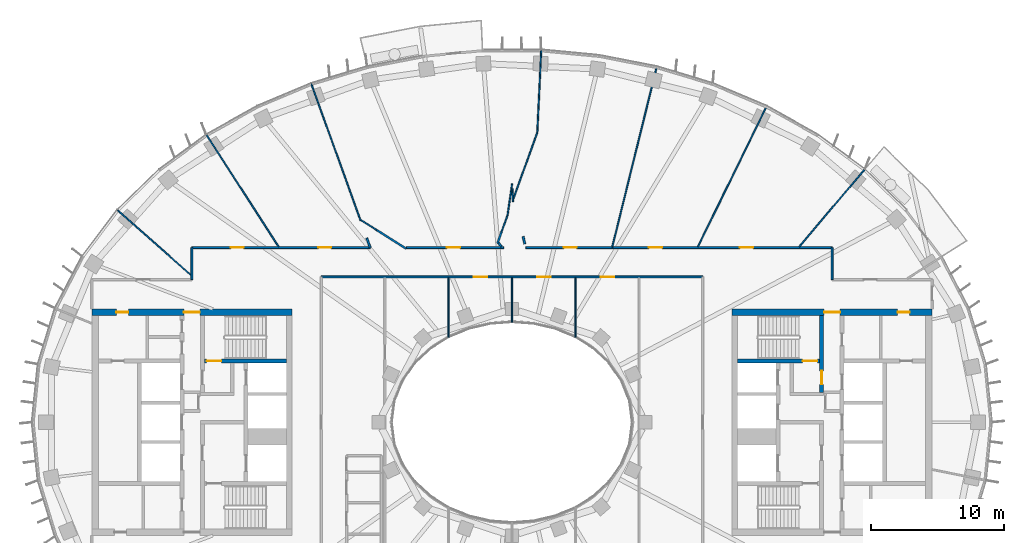
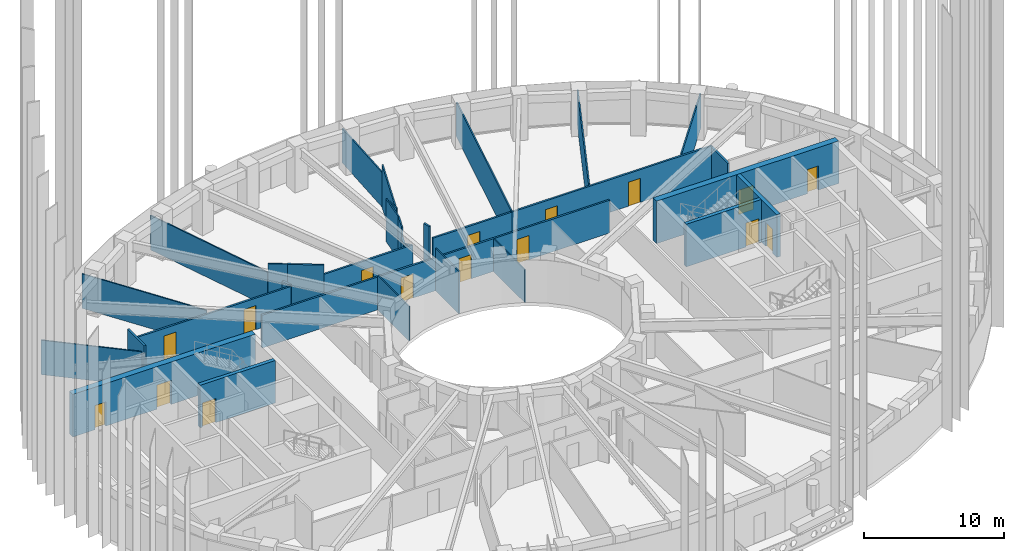
# One storey, part 6 of 19: 32 walls, 16 doors, 16 openings.
"""IFC4 building model written with IfcOpenShell, lengths in metres."""

from ifc_helpers import new_model, si_unit, direction, frame, frame_2d, origin, place, context, subcontext, project, spatial, rectangle, extrude, material, layer, layer_set, type_object, element, fill, save


model = new_model("IFC4")

# Units and contexts
model_context = context("Model", 3, precision=1e-05, world=origin(), true_north=direction((0.0, 1.0)))
body_context = subcontext(model_context, "Body", "Model", "MODEL_VIEW")
ifc_project = project(units=[si_unit("LENGTHUNIT", "METRE"), si_unit("AREAUNIT", "SQUARE_METRE"), si_unit("VOLUMEUNIT", "CUBIC_METRE"), si_unit("PLANEANGLEUNIT", "RADIAN"), si_unit("MASSUNIT", "GRAM", prefix="KILO")], contexts=[model_context])

# Site, building, storey
site_placement = place(None, origin())
site = spatial("IfcSite", under=ifc_project, at=site_placement, CompositionType="ELEMENT")
building_placement = place(site_placement, origin())
building = spatial("IfcBuilding", under=site, at=building_placement, Name="Noorbagh Ring Tower", CompositionType="ELEMENT")
storey_placement = place(building_placement, frame((0.0, 0.0, 233.5)))
storey = spatial("IfcBuildingStorey", under=building, at=storey_placement, Name="L48", CompositionType="ELEMENT", Elevation=233.5)

# Wall, opening, door
ifc_material_1 = material(Name="Concrete C60/75", Category="concrete")
ifc_layer_1 = layer(ifc_material_1, 0.300048828125)
ifc_layer_set_1 = layer_set([ifc_layer_1], Name="Concrete C60/75")
wall_type_1 = type_object("IfcWallType", Name="CORE-WALL-300-C60-75-EI240", PredefinedType="SHEAR", material=ifc_layer_set_1)
wall_1_placement = place(storey_placement, frame((-16.89990234375, 4.60009765625, 0.0), z_axis=(0.0, 0.0, 1.0), x_axis=(-1.0, 0.0, 0.0)))
wall_1 = element("IfcWall", 1, at=wall_1_placement, inside=storey, type_object=wall_type_1, Name="Core wall W", PredefinedType="SHEAR", context=body_context, shape_type="SweptSolid", body=[
    extrude(rectangle(XDim=6.18017578125, YDim=0.300048828125, at=frame_2d((3.090087890625, 0.0))), origin(), (0.0, 0.0, 1.0), 3.699951171875),
])
opening_1_placement = place(wall_1_placement, frame((4.89990234375, 0.0, 0.0)))
opening_1 = element("IfcOpeningElement", 2, at=opening_1_placement, cuts=wall_1, Name="Opening L48-CW06", PredefinedType="OPENING", context=body_context, shape_type="SweptSolid", body=[
    extrude(rectangle(XDim=1.10009765625, YDim=2.10009765625, at=frame_2d((0.550048828125, 1.050048828125))), frame((0.0, 0.16015625, 0.0), z_axis=(0.0, -1.0, 0.0), x_axis=(1.0, 0.0, 0.0)), (0.0, 0.0, 1.0), 0.320068359375),
])
ifc_material_2 = material(Name="Steel door leaf", Category="steel")
door_type_1 = type_object("IfcDoorType", Name="CORE-DOOR-DSTAIR", OperationType="SINGLE_SWING_LEFT", PredefinedType="DOOR", material=ifc_material_2)
door_1_placement = place(opening_1_placement, origin())
door_1 = element("IfcDoor", 3, at=door_1_placement, inside=storey, type_object=door_type_1, Name="Stair door ST1 L48-CW06", OperationType="SINGLE_SWING_RIGHT", OverallHeight=2.10009765625, OverallWidth=1.10009765625, PredefinedType="DOOR", context=body_context, shape_type="SweptSolid", body=[
    extrude(rectangle(XDim=1.10009765625, YDim=2.10009765625, at=frame_2d((0.550048828125, 1.050048828125))), frame((0.0, 0.02490234375, 0.0), z_axis=(0.0, -1.0, 0.0), x_axis=(1.0, 0.0, 0.0)), (0.0, 0.0, 1.0), 0.050048828125),
])
fill(opening_1, door_1)

wall_2_placement = place(storey_placement, frame((23.22998046875, 2.25, 0.0), z_axis=(0.0, 0.0, 1.0), x_axis=(0.0, 1.0, 0.0)))
wall_2 = element("IfcWall", 4, at=wall_2_placement, inside=storey, type_object=wall_type_1, Name="Core wall E", PredefinedType="SHEAR", context=body_context, shape_type="SweptSolid", body=[
    extrude(rectangle(XDim=5.75, YDim=0.300048828125, at=frame_2d((2.875, 0.0))), origin(), (0.0, 0.0, 1.0), 3.699951171875),
])
opening_2_placement = place(wall_2_placement, frame((0.60009765625, 0.0, 0.0)))
opening_2 = element("IfcOpeningElement", 5, at=opening_2_placement, cuts=wall_2, Name="Opening L48-CE10", PredefinedType="OPENING", context=body_context, shape_type="SweptSolid", body=[
    extrude(rectangle(XDim=1.0, YDim=2.10009765625, at=frame_2d((0.5, 1.050048828125))), frame((0.0, 0.16015625, 0.0), z_axis=(0.0, -1.0, 0.0), x_axis=(1.0, 0.0, 0.0)), (0.0, 0.0, 1.0), 0.320068359375),
])
ifc_material_3 = material(Name="Steel door leaf", Category="steel")
door_type_2 = type_object("IfcDoorType", Name="CORE-DOOR-DVEST", OperationType="SINGLE_SWING_LEFT", PredefinedType="DOOR", material=ifc_material_3)
door_2_placement = place(opening_2_placement, origin())
door_2 = element("IfcDoor", 6, at=door_2_placement, inside=storey, type_object=door_type_2, Name="Stair vestibule door L48-CE10", OperationType="SINGLE_SWING_RIGHT", OverallHeight=2.10009765625, OverallWidth=1.0, PredefinedType="DOOR", context=body_context, shape_type="SweptSolid", body=[
    extrude(rectangle(XDim=1.0, YDim=2.10009765625, at=frame_2d((0.5, 1.050048828125))), frame((0.0, 0.02490234375, 0.0), z_axis=(0.0, -1.0, 0.0), x_axis=(1.0, 0.0, 0.0)), (0.0, 0.0, 1.0), 0.050048828125),
])
fill(opening_2, door_2)

wall_3_placement = place(storey_placement, frame((16.89990234375, 4.60009765625, 0.0), z_axis=(0.0, 0.0, 1.0), x_axis=(1.0, 0.0, 0.0)))
wall_3 = element("IfcWall", 7, at=wall_3_placement, inside=storey, type_object=wall_type_1, Name="Core wall E", PredefinedType="SHEAR", context=body_context, shape_type="SweptSolid", body=[
    extrude(rectangle(XDim=6.18017578125, YDim=0.300048828125, at=frame_2d((3.090087890625, 0.0))), origin(), (0.0, 0.0, 1.0), 3.699951171875),
])
opening_3_placement = place(wall_3_placement, frame((4.89990234375, 0.0, 0.0)))
opening_3 = element("IfcOpeningElement", 8, at=opening_3_placement, cuts=wall_3, Name="Opening L48-CE07", PredefinedType="OPENING", context=body_context, shape_type="SweptSolid", body=[
    extrude(rectangle(XDim=1.10009765625, YDim=2.10009765625, at=frame_2d((0.550048828125, 1.050048828125))), frame((0.0, 0.16015625, 0.0), z_axis=(0.0, -1.0, 0.0), x_axis=(1.0, 0.0, 0.0)), (0.0, 0.0, 1.0), 0.320068359375),
])
door_3_placement = place(opening_3_placement, origin())
door_3 = element("IfcDoor", 9, at=door_3_placement, inside=storey, type_object=door_type_1, Name="Stair door ST3 L48-CE07", OperationType="SINGLE_SWING_LEFT", OverallHeight=2.10009765625, OverallWidth=1.10009765625, PredefinedType="DOOR", context=body_context, shape_type="SweptSolid", body=[
    extrude(rectangle(XDim=1.10009765625, YDim=2.10009765625, at=frame_2d((0.550048828125, 1.050048828125))), frame((0.0, 0.02490234375, 0.0), z_axis=(0.0, -1.0, 0.0), x_axis=(1.0, 0.0, 0.0)), (0.0, 0.0, 1.0), 0.050048828125),
])
fill(opening_3, door_3)

# Wall, openings, doors
ifc_material_4 = material(Name="Concrete C60/75", Category="concrete")
ifc_layer_2 = layer(ifc_material_4, 0.5)
ifc_layer_set_2 = layer_set([ifc_layer_2], Name="Concrete C60/75")
wall_type_2 = type_object("IfcWallType", Name="CORE-WALL-500-C60-75-EI240", PredefinedType="SHEAR", material=ifc_layer_set_2)
wall_4_placement = place(storey_placement, frame((-16.5, 8.25, 0.0), z_axis=(0.0, 0.0, 1.0), x_axis=(-1.0, 0.0, 0.0)))
wall_4 = element("IfcWall", 10, at=wall_4_placement, inside=storey, type_object=wall_type_2, Name="Core wall W", PredefinedType="SHEAR", context=body_context, shape_type="SweptSolid", body=[
    extrude(rectangle(XDim=15.0, YDim=0.5, at=frame_2d((7.5, 0.0))), origin(), (0.0, 0.0, 1.0), 3.699951171875),
])
opening_4_placement = place(wall_4_placement, frame((6.89990234375, 0.0, 0.0)))
opening_4 = element("IfcOpeningElement", 11, at=opening_4_placement, cuts=wall_4, Name="Opening L48-CW10", PredefinedType="OPENING", context=body_context, shape_type="SweptSolid", body=[
    extrude(rectangle(XDim=1.199951171875, YDim=2.10009765625, at=frame_2d((0.60009765625, 1.050048828125))), frame((0.0, 0.260009765625, 0.0), z_axis=(0.0, -1.0, 0.0), x_axis=(1.0, 0.0, 0.0)), (0.0, 0.0, 1.0), 0.52001953125),
])
opening_5_placement = place(wall_4_placement, frame((12.27490234375, 0.0, 0.0)))
opening_5 = element("IfcOpeningElement", 12, at=opening_5_placement, cuts=wall_4, Name="Opening L48-CW14", PredefinedType="OPENING", context=body_context, shape_type="SweptSolid", body=[
    extrude(rectangle(XDim=0.89990234375, YDim=2.10009765625, at=frame_2d((0.449951171875, 1.050048828125))), frame((0.0, 0.260009765625, 0.0), z_axis=(0.0, -1.0, 0.0), x_axis=(1.0, 0.0, 0.0)), (0.0, 0.0, 1.0), 0.52001953125),
])
ifc_material_5 = material(Name="Steel door leaf", Category="steel")
door_type_3 = type_object("IfcDoorType", Name="CORE-DOOR-DROOM", OperationType="SINGLE_SWING_LEFT", PredefinedType="DOOR", material=ifc_material_5)
door_4_placement = place(opening_5_placement, origin())
door_4 = element("IfcDoor", 13, at=door_4_placement, inside=storey, type_object=door_type_3, Name="Core room door L48-CW14", OperationType="SINGLE_SWING_RIGHT", OverallHeight=2.10009765625, OverallWidth=0.89990234375, PredefinedType="DOOR", context=body_context, shape_type="SweptSolid", body=[
    extrude(rectangle(XDim=0.89990234375, YDim=2.10009765625, at=frame_2d((0.449951171875, 1.050048828125))), frame((0.0, 0.02490234375, 0.0), z_axis=(0.0, -1.0, 0.0), x_axis=(1.0, 0.0, 0.0)), (0.0, 0.0, 1.0), 0.050048828125),
])
fill(opening_5, door_4)
ifc_material_6 = material(Name="Steel door leaf", Category="steel")
door_type_4 = type_object("IfcDoorType", Name="CORE-DOOR-PORT", OperationType="DOUBLE_DOOR_DOUBLE_SWING", PredefinedType="DOOR", material=ifc_material_6)
door_5_placement = place(opening_4_placement, origin())
door_5 = element("IfcDoor", 14, at=door_5_placement, inside=storey, type_object=door_type_4, Name="Core entrance door L48-CW10", OperationType="DOUBLE_DOOR_DOUBLE_SWING", OverallHeight=2.10009765625, OverallWidth=1.199951171875, PredefinedType="DOOR", context=body_context, shape_type="SweptSolid", body=[
    extrude(rectangle(XDim=1.199951171875, YDim=2.10009765625, at=frame_2d((0.60009765625, 1.050048828125))), frame((0.0, 0.02490234375, 0.0), z_axis=(0.0, -1.0, 0.0), x_axis=(1.0, 0.0, 0.0)), (0.0, 0.0, 1.0), 0.050048828125),
])
fill(opening_4, door_5)

wall_5_placement = place(storey_placement, frame((16.5, 8.25, 0.0), z_axis=(0.0, 0.0, 1.0), x_axis=(1.0, 0.0, 0.0)))
wall_5 = element("IfcWall", 15, at=wall_5_placement, inside=storey, type_object=wall_type_2, Name="Core wall E", PredefinedType="SHEAR", context=body_context, shape_type="SweptSolid", body=[
    extrude(rectangle(XDim=15.0, YDim=0.5, at=frame_2d((7.5, 0.0))), origin(), (0.0, 0.0, 1.0), 3.699951171875),
])
opening_6_placement = place(wall_5_placement, frame((6.89990234375, 0.0, 0.0)))
opening_6 = element("IfcOpeningElement", 16, at=opening_6_placement, cuts=wall_5, Name="Opening L48-CE11", PredefinedType="OPENING", context=body_context, shape_type="SweptSolid", body=[
    extrude(rectangle(XDim=1.199951171875, YDim=2.10009765625, at=frame_2d((0.60009765625, 1.050048828125))), frame((0.0, 0.260009765625, 0.0), z_axis=(0.0, -1.0, 0.0), x_axis=(1.0, 0.0, 0.0)), (0.0, 0.0, 1.0), 0.52001953125),
])
opening_7_placement = place(wall_5_placement, frame((12.425048828125, 0.0, 0.0)))
opening_7 = element("IfcOpeningElement", 17, at=opening_7_placement, cuts=wall_5, Name="Opening L48-CE14", PredefinedType="OPENING", context=body_context, shape_type="SweptSolid", body=[
    extrude(rectangle(XDim=0.89990234375, YDim=2.10009765625, at=frame_2d((0.449951171875, 1.050048828125))), frame((0.0, 0.260009765625, 0.0), z_axis=(0.0, -1.0, 0.0), x_axis=(1.0, 0.0, 0.0)), (0.0, 0.0, 1.0), 0.52001953125),
])
door_6_placement = place(opening_7_placement, origin())
door_6 = element("IfcDoor", 18, at=door_6_placement, inside=storey, type_object=door_type_3, Name="Core room door L48-CE14", OperationType="SINGLE_SWING_LEFT", OverallHeight=2.10009765625, OverallWidth=0.89990234375, PredefinedType="DOOR", context=body_context, shape_type="SweptSolid", body=[
    extrude(rectangle(XDim=0.89990234375, YDim=2.10009765625, at=frame_2d((0.449951171875, 1.050048828125))), frame((0.0, 0.02490234375, 0.0), z_axis=(0.0, -1.0, 0.0), x_axis=(1.0, 0.0, 0.0)), (0.0, 0.0, 1.0), 0.050048828125),
])
fill(opening_7, door_6)
door_7_placement = place(opening_6_placement, origin())
door_7 = element("IfcDoor", 19, at=door_7_placement, inside=storey, type_object=door_type_4, Name="Core entrance door L48-CE11", OperationType="DOUBLE_DOOR_DOUBLE_SWING", OverallHeight=2.10009765625, OverallWidth=1.199951171875, PredefinedType="DOOR", context=body_context, shape_type="SweptSolid", body=[
    extrude(rectangle(XDim=1.199951171875, YDim=2.10009765625, at=frame_2d((0.60009765625, 1.050048828125))), frame((0.0, 0.02490234375, 0.0), z_axis=(0.0, -1.0, 0.0), x_axis=(1.0, 0.0, 0.0)), (0.0, 0.0, 1.0), 0.050048828125),
])
fill(opening_6, door_7)

# Wall
ifc_material_7 = material(Name="Gypsum board on steel studs", Category="steel")
ifc_layer_3 = layer(ifc_material_7, 0.14990234375)
ifc_layer_set_3 = layer_set([ifc_layer_3], Name="Gypsum board on steel studs")
wall_type_3 = type_object("IfcWallType", Name="CORRIDOR PARTITION 150 EI 30", PredefinedType="PARTITIONING", material=ifc_layer_set_3)
wall_6_placement = place(storey_placement, frame((-24.0, 10.699951171875, 0.0), z_axis=(0.0, 0.0, 1.0), x_axis=(0.0, 1.0, 0.0)))
element("IfcWall", 20, at=wall_6_placement, inside=storey, type_object=wall_type_3, Name="L48/wall/P09", PredefinedType="PARTITIONING", context=body_context, shape_type="SweptSolid", body=[
    extrude(rectangle(XDim=2.400146484375, YDim=0.14990234375, at=frame_2d((1.2001953125, 0.0))), origin(), (0.0, 0.0, 1.0), 3.699951171875),
])

# Wall, openings, doors
wall_7_placement = place(storey_placement, frame((-24.0, 13.10009765625, 0.0), z_axis=(0.0, 0.0, 1.0), x_axis=(1.0, 0.0, 0.0)))
wall_7 = element("IfcWall", 21, at=wall_7_placement, inside=storey, type_object=wall_type_3, Name="L48/wall/P10", PredefinedType="PARTITIONING", context=body_context, shape_type="SweptSolid", body=[
    extrude(rectangle(XDim=13.35693359375, YDim=0.14990234375, at=frame_2d((6.678466796875, 0.0))), origin(), (0.0, 0.0, 1.0), 2.75),
])
opening_8_placement = place(wall_7_placement, frame((2.89306640625, 0.0, 0.0)))
opening_8 = element("IfcOpeningElement", 22, at=opening_8_placement, cuts=wall_7, Name="Opening D1", PredefinedType="OPENING", context=body_context, shape_type="SweptSolid", body=[
    extrude(rectangle(XDim=1.0, YDim=2.10009765625, at=frame_2d((0.5, 1.050048828125))), frame((0.0, 0.0849609375, 0.0), z_axis=(0.0, -1.0, 0.0), x_axis=(1.0, 0.0, 0.0)), (0.0, 0.0, 1.0), 0.169921875),
])
opening_9_placement = place(wall_7_placement, frame((9.45703125, 0.0, 0.0)))
opening_9 = element("IfcOpeningElement", 23, at=opening_9_placement, cuts=wall_7, Name="Opening D1", PredefinedType="OPENING", context=body_context, shape_type="SweptSolid", body=[
    extrude(rectangle(XDim=1.0, YDim=2.10009765625, at=frame_2d((0.5, 1.050048828125))), frame((0.0, 0.0849609375, 0.0), z_axis=(0.0, -1.0, 0.0), x_axis=(1.0, 0.0, 0.0)), (0.0, 0.0, 1.0), 0.169921875),
])
ifc_material_8 = material(Name="Timber, painted", Category="wood")
door_type_5 = type_object("IfcDoorType", Name="DOOR 1000 X 2100 FD30", OperationType="SINGLE_SWING_LEFT", PredefinedType="DOOR", material=ifc_material_8)
door_8_placement = place(opening_8_placement, origin())
door_8 = element("IfcDoor", 24, at=door_8_placement, inside=storey, type_object=door_type_5, Name="L48-D08", OperationType="SINGLE_SWING_RIGHT", OverallHeight=2.10009765625, OverallWidth=1.0, PredefinedType="DOOR", context=body_context, shape_type="SweptSolid", body=[
    extrude(rectangle(XDim=1.0, YDim=2.10009765625, at=frame_2d((0.5, 1.050048828125))), frame((0.0, 0.02490234375, 0.0), z_axis=(0.0, -1.0, 0.0), x_axis=(1.0, 0.0, 0.0)), (0.0, 0.0, 1.0), 0.050048828125),
])
fill(opening_8, door_8)
door_9_placement = place(opening_9_placement, origin())
door_9 = element("IfcDoor", 25, at=door_9_placement, inside=storey, type_object=door_type_5, Name="L48-D10", OperationType="SINGLE_SWING_RIGHT", OverallHeight=2.10009765625, OverallWidth=1.0, PredefinedType="DOOR", context=body_context, shape_type="SweptSolid", body=[
    extrude(rectangle(XDim=1.0, YDim=2.10009765625, at=frame_2d((0.5, 1.050048828125))), frame((0.0, 0.02490234375, 0.0), z_axis=(0.0, -1.0, 0.0), x_axis=(1.0, 0.0, 0.0)), (0.0, 0.0, 1.0), 0.050048828125),
])
fill(opening_9, door_9)

wall_8_placement = place(storey_placement, frame((-14.300048828125, 10.89990234375, 0.0), z_axis=(0.0, 0.0, 1.0), x_axis=(1.0, 0.0, 0.0)))
wall_8 = element("IfcWall", 26, at=wall_8_placement, inside=storey, type_object=wall_type_3, Name="L48/wall/P17", PredefinedType="PARTITIONING", context=body_context, shape_type="SweptSolid", body=[
    extrude(rectangle(XDim=28.60009765625, YDim=0.14990234375, at=frame_2d((14.300048828125, 0.0))), origin(), (0.0, 0.0, 1.0), 2.85009765625),
])
opening_10_placement = place(wall_8_placement, frame((11.43310546875, 0.0, 0.0)))
opening_10 = element("IfcOpeningElement", 27, at=opening_10_placement, cuts=wall_8, Name="Opening D1", PredefinedType="OPENING", context=body_context, shape_type="SweptSolid", body=[
    extrude(rectangle(XDim=1.0, YDim=2.10009765625, at=frame_2d((0.5, 1.050048828125))), frame((0.0, 0.0849609375, 0.0), z_axis=(0.0, -1.0, 0.0), x_axis=(1.0, 0.0, 0.0)), (0.0, 0.0, 1.0), 0.169921875),
])
opening_11_placement = place(wall_8_placement, frame((16.199951171875, 0.0, 0.0)))
opening_11 = element("IfcOpeningElement", 28, at=opening_11_placement, cuts=wall_8, Name="Opening D1", PredefinedType="OPENING", context=body_context, shape_type="SweptSolid", body=[
    extrude(rectangle(XDim=1.0, YDim=2.10009765625, at=frame_2d((0.5, 1.050048828125))), frame((0.0, 0.0849609375, 0.0), z_axis=(0.0, -1.0, 0.0), x_axis=(1.0, 0.0, 0.0)), (0.0, 0.0, 1.0), 0.169921875),
])
opening_12_placement = place(wall_8_placement, frame((20.967041015625, 0.0, 0.0)))
opening_12 = element("IfcOpeningElement", 29, at=opening_12_placement, cuts=wall_8, Name="Opening D1", PredefinedType="OPENING", context=body_context, shape_type="SweptSolid", body=[
    extrude(rectangle(XDim=1.0, YDim=2.10009765625, at=frame_2d((0.5, 1.050048828125))), frame((0.0, 0.0849609375, 0.0), z_axis=(0.0, -1.0, 0.0), x_axis=(1.0, 0.0, 0.0)), (0.0, 0.0, 1.0), 0.169921875),
])
door_10_placement = place(opening_10_placement, origin())
door_10 = element("IfcDoor", 30, at=door_10_placement, inside=storey, type_object=door_type_5, Name="L48-D26", OperationType="SINGLE_SWING_RIGHT", OverallHeight=2.10009765625, OverallWidth=1.0, PredefinedType="DOOR", context=body_context, shape_type="SweptSolid", body=[
    extrude(rectangle(XDim=1.0, YDim=2.10009765625, at=frame_2d((0.5, 1.050048828125))), frame((0.0, 0.02490234375, 0.0), z_axis=(0.0, -1.0, 0.0), x_axis=(1.0, 0.0, 0.0)), (0.0, 0.0, 1.0), 0.050048828125),
])
fill(opening_10, door_10)
door_11_placement = place(opening_11_placement, origin())
door_11 = element("IfcDoor", 31, at=door_11_placement, inside=storey, type_object=door_type_5, Name="L48-D28", OperationType="SINGLE_SWING_RIGHT", OverallHeight=2.10009765625, OverallWidth=1.0, PredefinedType="DOOR", context=body_context, shape_type="SweptSolid", body=[
    extrude(rectangle(XDim=1.0, YDim=2.10009765625, at=frame_2d((0.5, 1.050048828125))), frame((0.0, 0.02490234375, 0.0), z_axis=(0.0, -1.0, 0.0), x_axis=(1.0, 0.0, 0.0)), (0.0, 0.0, 1.0), 0.050048828125),
])
fill(opening_11, door_11)
door_12_placement = place(opening_12_placement, origin())
door_12 = element("IfcDoor", 32, at=door_12_placement, inside=storey, type_object=door_type_5, Name="L48-D29", OperationType="SINGLE_SWING_LEFT", OverallHeight=2.10009765625, OverallWidth=1.0, PredefinedType="DOOR", context=body_context, shape_type="SweptSolid", body=[
    extrude(rectangle(XDim=1.0, YDim=2.10009765625, at=frame_2d((0.5, 1.050048828125))), frame((0.0, 0.02490234375, 0.0), z_axis=(0.0, -1.0, 0.0), x_axis=(1.0, 0.0, 0.0)), (0.0, 0.0, 1.0), 0.050048828125),
])
fill(opening_12, door_12)

# Walls
wall_9_placement = place(storey_placement, frame((-10.887939453125, 13.81396484375, 0.0), z_axis=(0.0, 0.0, 1.0), x_axis=(0.337396703232, -0.941362557492, 0.0)))
element("IfcWall", 33, at=wall_9_placement, inside=storey, type_object=wall_type_3, Name="L48/wall/P27", PredefinedType="PARTITIONING", context=body_context, shape_type="SweptSolid", body=[
    extrude(rectangle(XDim=0.75830078125, YDim=0.14990234375, at=frame_2d((0.379150390625, 0.0))), origin(), (0.0, 0.0, 1.0), 2.85009765625),
])
wall_10_placement = place(storey_placement, frame((-10.136962890625, 14.4130859375, 0.0), z_axis=(0.0, 0.0, 1.0), x_axis=(0.844665601723, -0.535294331434, 0.0)))
element("IfcWall", 34, at=wall_10_placement, inside=storey, type_object=wall_type_3, Name="L48/wall/P29", PredefinedType="PARTITIONING", context=body_context, shape_type="SweptSolid", body=[
    extrude(rectangle(XDim=2.589111328125, YDim=0.14990234375, at=frame_2d((1.29443359375, 0.0))), origin(), (0.0, 0.0, 1.0), 3.699951171875),
])

# Wall, opening, door
wall_11_placement = place(storey_placement, frame((-7.925048828125, 13.10009765625, 0.0), z_axis=(0.0, 0.0, 1.0), x_axis=(1.0, 0.0, 0.0)))
wall_11 = element("IfcWall", 35, at=wall_11_placement, inside=storey, type_object=wall_type_3, Name="L48/wall/P34", PredefinedType="PARTITIONING", context=body_context, shape_type="SweptSolid", body=[
    extrude(rectangle(XDim=7.296142578125, YDim=0.14990234375, at=frame_2d((3.64794921875, 0.0))), origin(), (0.0, 0.0, 1.0), 2.85009765625),
])
opening_13_placement = place(wall_11_placement, frame((3.048095703125, 0.0, 0.0)))
opening_13 = element("IfcOpeningElement", 36, at=opening_13_placement, cuts=wall_11, Name="Opening D1", PredefinedType="OPENING", context=body_context, shape_type="SweptSolid", body=[
    extrude(rectangle(XDim=1.0, YDim=2.10009765625, at=frame_2d((0.5, 1.050048828125))), frame((0.0, 0.0849609375, 0.0), z_axis=(0.0, -1.0, 0.0), x_axis=(1.0, 0.0, 0.0)), (0.0, 0.0, 1.0), 0.169921875),
])
door_13_placement = place(opening_13_placement, origin())
door_13 = element("IfcDoor", 37, at=door_13_placement, inside=storey, type_object=door_type_5, Name="L48-D12", OperationType="SINGLE_SWING_RIGHT", OverallHeight=2.10009765625, OverallWidth=1.0, PredefinedType="DOOR", context=body_context, shape_type="SweptSolid", body=[
    extrude(rectangle(XDim=1.0, YDim=2.10009765625, at=frame_2d((0.5, 1.050048828125))), frame((0.0, 0.02490234375, 0.0), z_axis=(0.0, -1.0, 0.0), x_axis=(1.0, 0.0, 0.0)), (0.0, 0.0, 1.0), 0.050048828125),
])
fill(opening_13, door_13)

# Walls
wall_12_placement = place(storey_placement, frame((-1.093017578125, 13.423095703125, 0.0), z_axis=(0.0, 0.0, 1.0), x_axis=(0.337586124745, 0.941294644827, 0.0)))
element("IfcWall", 38, at=wall_12_placement, inside=storey, type_object=wall_type_3, Name="L48/wall/P39", PredefinedType="PARTITIONING", context=body_context, shape_type="SweptSolid", body=[
    extrude(rectangle(XDim=0.91552734375, YDim=0.14990234375, at=frame_2d((0.457763671875, 0.0))), origin(), (0.0, 0.0, 1.0), 2.85009765625),
])
wall_13_placement = place(storey_placement, frame((-1.008056640625, 13.43896484375, 0.0), z_axis=(0.0, 0.0, 1.0), x_axis=(0.645657197235, -0.763627385351, 0.0)))
element("IfcWall", 39, at=wall_13_placement, inside=storey, type_object=wall_type_3, Name="L48/wall/P40", PredefinedType="PARTITIONING", context=body_context, shape_type="SweptSolid", body=[
    extrude(rectangle(XDim=0.345703125, YDim=0.14990234375, at=frame_2d((0.1728515625, 0.0))), origin(), (0.0, 0.0, 1.0), 2.85009765625),
])
wall_14_placement = place(storey_placement, frame((0.830078125, 13.93310546875, 0.0), z_axis=(0.0, 0.0, 1.0), x_axis=(0.239578315167, -0.970877042113, 0.0)))
element("IfcWall", 40, at=wall_14_placement, inside=storey, type_object=wall_type_3, Name="L48/wall/P49", PredefinedType="PARTITIONING", context=body_context, shape_type="SweptSolid", body=[
    extrude(rectangle(XDim=0.5634765625, YDim=0.14990234375, at=frame_2d((0.28173828125, 0.0))), origin(), (0.0, 0.0, 1.0), 3.699951171875),
])

# Wall, opening, door
wall_15_placement = place(storey_placement, frame((1.035888671875, 13.10009765625, 0.0), z_axis=(0.0, 0.0, 1.0), x_axis=(1.0, 0.0, 0.0)))
wall_15 = element("IfcWall", 41, at=wall_15_placement, inside=storey, type_object=wall_type_3, Name="L48/wall/P52", PredefinedType="PARTITIONING", context=body_context, shape_type="SweptSolid", body=[
    extrude(rectangle(XDim=6.47119140625, YDim=0.14990234375, at=frame_2d((3.235595703125, 0.0))), origin(), (0.0, 0.0, 1.0), 2.85009765625),
])
opening_14_placement = place(wall_15_placement, frame((2.837890625, 0.0, 0.0)))
opening_14 = element("IfcOpeningElement", 42, at=opening_14_placement, cuts=wall_15, Name="Opening D1", PredefinedType="OPENING", context=body_context, shape_type="SweptSolid", body=[
    extrude(rectangle(XDim=1.0, YDim=2.10009765625, at=frame_2d((0.5, 1.050048828125))), frame((0.0, 0.0849609375, 0.0), z_axis=(0.0, -1.0, 0.0), x_axis=(1.0, 0.0, 0.0)), (0.0, 0.0, 1.0), 0.169921875),
])
door_14_placement = place(opening_14_placement, origin())
door_14 = element("IfcDoor", 43, at=door_14_placement, inside=storey, type_object=door_type_5, Name="L48-D14", OperationType="SINGLE_SWING_RIGHT", OverallHeight=2.10009765625, OverallWidth=1.0, PredefinedType="DOOR", context=body_context, shape_type="SweptSolid", body=[
    extrude(rectangle(XDim=1.0, YDim=2.10009765625, at=frame_2d((0.5, 1.050048828125))), frame((0.0, 0.02490234375, 0.0), z_axis=(0.0, -1.0, 0.0), x_axis=(1.0, 0.0, 0.0)), (0.0, 0.0, 1.0), 0.050048828125),
])
fill(opening_14, door_14)

# Wall, openings, doors
wall_16_placement = place(storey_placement, frame((7.52392578125, 13.10009765625, 0.0), z_axis=(0.0, 0.0, 1.0), x_axis=(1.0, 0.0, 0.0)))
wall_16 = element("IfcWall", 44, at=wall_16_placement, inside=storey, type_object=wall_type_3, Name="L48/wall/P62", PredefinedType="PARTITIONING", context=body_context, shape_type="SweptSolid", body=[
    extrude(rectangle(XDim=16.47607421875, YDim=0.14990234375, at=frame_2d((8.238037109375, 0.0))), origin(), (0.0, 0.0, 1.0), 2.85009765625),
])
opening_15_placement = place(wall_16_placement, frame((2.74609375, 0.0, 0.0)))
opening_15 = element("IfcOpeningElement", 45, at=opening_15_placement, cuts=wall_16, Name="Opening D1", PredefinedType="OPENING", context=body_context, shape_type="SweptSolid", body=[
    extrude(rectangle(XDim=1.0, YDim=2.10009765625, at=frame_2d((0.5, 1.050048828125))), frame((0.0, 0.0849609375, 0.0), z_axis=(0.0, -1.0, 0.0), x_axis=(1.0, 0.0, 0.0)), (0.0, 0.0, 1.0), 0.169921875),
])
opening_16_placement = place(wall_16_placement, frame((9.56005859375, 0.0, 0.0)))
opening_16 = element("IfcOpeningElement", 46, at=opening_16_placement, cuts=wall_16, Name="Opening D1", PredefinedType="OPENING", context=body_context, shape_type="SweptSolid", body=[
    extrude(rectangle(XDim=1.0, YDim=2.10009765625, at=frame_2d((0.5, 1.050048828125))), frame((0.0, 0.0849609375, 0.0), z_axis=(0.0, -1.0, 0.0), x_axis=(1.0, 0.0, 0.0)), (0.0, 0.0, 1.0), 0.169921875),
])
door_15_placement = place(opening_15_placement, origin())
door_15 = element("IfcDoor", 47, at=door_15_placement, inside=storey, type_object=door_type_5, Name="L48-D17", OperationType="SINGLE_SWING_LEFT", OverallHeight=2.10009765625, OverallWidth=1.0, PredefinedType="DOOR", context=body_context, shape_type="SweptSolid", body=[
    extrude(rectangle(XDim=1.0, YDim=2.10009765625, at=frame_2d((0.5, 1.050048828125))), frame((0.0, 0.02490234375, 0.0), z_axis=(0.0, -1.0, 0.0), x_axis=(1.0, 0.0, 0.0)), (0.0, 0.0, 1.0), 0.050048828125),
])
fill(opening_15, door_15)
door_16_placement = place(opening_16_placement, origin())
door_16 = element("IfcDoor", 48, at=door_16_placement, inside=storey, type_object=door_type_5, Name="L48-D19", OperationType="SINGLE_SWING_LEFT", OverallHeight=2.10009765625, OverallWidth=1.0, PredefinedType="DOOR", context=body_context, shape_type="SweptSolid", body=[
    extrude(rectangle(XDim=1.0, YDim=2.10009765625, at=frame_2d((0.5, 1.050048828125))), frame((0.0, 0.02490234375, 0.0), z_axis=(0.0, -1.0, 0.0), x_axis=(1.0, 0.0, 0.0)), (0.0, 0.0, 1.0), 0.050048828125),
])
fill(opening_16, door_16)

# Walls
wall_17_placement = place(storey_placement, frame((24.0, 10.699951171875, 0.0), z_axis=(0.0, 0.0, 1.0), x_axis=(0.0, 1.0, 0.0)))
element("IfcWall", 49, at=wall_17_placement, inside=storey, type_object=wall_type_3, Name="L48/wall/P71", PredefinedType="PARTITIONING", context=body_context, shape_type="SweptSolid", body=[
    extrude(rectangle(XDim=2.400146484375, YDim=0.14990234375, at=frame_2d((1.2001953125, 0.0))), origin(), (0.0, 0.0, 1.0), 2.75),
])
ifc_material_9 = material(Name="Gypsum board on steel studs", Category="steel")
ifc_layer_4 = layer(ifc_material_9, 0.10009765625)
ifc_layer_set_4 = layer_set([ifc_layer_4], Name="Gypsum board on steel studs")
wall_type_4 = type_object("IfcWallType", Name="PARTITION 100 GYPSUM", PredefinedType="PARTITIONING", material=ifc_layer_set_4)
wall_18_placement = place(storey_placement, frame((-29.569091796875, 15.89501953125, 0.0), z_axis=(0.0, 0.0, 1.0), x_axis=(0.748936848479, -0.662641378869, 0.0)))
element("IfcWall", 50, at=wall_18_placement, inside=storey, type_object=wall_type_4, Name="L48/wall/P06", PredefinedType="PARTITIONING", context=body_context, shape_type="SweptSolid", body=[
    extrude(rectangle(XDim=7.3359375, YDim=0.10009765625, at=frame_2d((3.66796875, 0.0))), origin(), (0.0, 0.0, 1.0), 3.0),
])
wall_19_placement = place(storey_placement, frame((-22.905029296875, 21.5419921875, 0.0), z_axis=(0.0, 0.0, 1.0), x_axis=(0.542277075573, -0.840199722273, 0.0)))
element("IfcWall", 51, at=wall_19_placement, inside=storey, type_object=wall_type_4, Name="L48/wall/P12", PredefinedType="PARTITIONING", context=body_context, shape_type="SweptSolid", body=[
    extrude(rectangle(XDim=9.958251953125, YDim=0.10009765625, at=frame_2d((4.97900390625, 0.0))), origin(), (0.0, 0.0, 1.0), 3.0),
])
wall_20_placement = place(storey_placement, frame((-15.048095703125, 25.383056640625, 0.0), z_axis=(0.0, 0.0, 1.0), x_axis=(0.338406105684, -0.941000163462, 0.0)))
element("IfcWall", 52, at=wall_20_placement, inside=storey, type_object=wall_type_4, Name="L48/wall/P14", PredefinedType="PARTITIONING", context=body_context, shape_type="SweptSolid", body=[
    extrude(rectangle(XDim=10.898193359375, YDim=0.10009765625, at=frame_2d((5.44921875, 0.0))), origin(), (0.0, 0.0, 1.0), 3.0),
])
wall_21_placement = place(storey_placement, frame((-11.319091796875, 15.160888671875, 0.0), z_axis=(0.0, 0.0, 1.0), x_axis=(0.845102975348, -0.534603555037, 0.0)))
element("IfcWall", 53, at=wall_21_placement, inside=storey, type_object=wall_type_4, Name="L48/wall/P25", PredefinedType="PARTITIONING", context=body_context, shape_type="SweptSolid", body=[
    extrude(rectangle(XDim=1.398681640625, YDim=0.10009765625, at=frame_2d((0.69921875, 0.0))), origin(), (0.0, 0.0, 1.0), 3.699951171875),
])
wall_22_placement = place(storey_placement, frame((-4.76708984375, 6.363037109375, 0.0), z_axis=(0.0, 0.0, 1.0), x_axis=(0.0, 1.0, 0.0)))
element("IfcWall", 54, at=wall_22_placement, inside=storey, type_object=wall_type_4, Name="L48/wall/P37", PredefinedType="PARTITIONING", context=body_context, shape_type="SweptSolid", body=[
    extrude(rectangle(XDim=4.4619140625, YDim=0.10009765625, at=frame_2d((2.23095703125, 0.0))), origin(), (0.0, 0.0, 1.0), 3.0),
])
wall_23_placement = place(storey_placement, frame((-0.781005859375, 14.2939453125, 0.0), z_axis=(0.0, 0.0, 1.0), x_axis=(0.338162451205, 0.941087751804, 0.0)))
element("IfcWall", 55, at=wall_23_placement, inside=storey, type_object=wall_type_4, Name="L48/wall/P41", PredefinedType="PARTITIONING", context=body_context, shape_type="SweptSolid", body=[
    extrude(rectangle(XDim=1.303955078125, YDim=0.10009765625, at=frame_2d((0.65185546875, 0.0))), origin(), (0.0, 0.0, 1.0), 3.699951171875),
])
wall_24_placement = place(storey_placement, frame((-0.33203125, 15.5390625, 0.0), z_axis=(0.0, 0.0, 1.0), x_axis=(0.142697629543, 0.989766329253, 0.0)))
element("IfcWall", 56, at=wall_24_placement, inside=storey, type_object=wall_type_4, Name="L48/wall/P43", PredefinedType="PARTITIONING", context=body_context, shape_type="SweptSolid", body=[
    extrude(rectangle(XDim=2.38330078125, YDim=0.10009765625, at=frame_2d((1.191650390625, 0.0))), origin(), (0.0, 0.0, 1.0), 3.699951171875),
])
wall_25_placement = place(storey_placement, frame((0.0, 7.50390625, 0.0), z_axis=(0.0, 0.0, 1.0), x_axis=(0.0, 1.0, 0.0)))
element("IfcWall", 57, at=wall_25_placement, inside=storey, type_object=wall_type_4, Name="L48/wall/P45", PredefinedType="PARTITIONING", context=body_context, shape_type="SweptSolid", body=[
    extrude(rectangle(XDim=3.321044921875, YDim=0.10009765625, at=frame_2d((1.66064453125, 0.0))), origin(), (0.0, 0.0, 1.0), 3.699951171875),
])
wall_26_placement = place(storey_placement, frame((0.028076171875, 17.51806640625, 0.0), z_axis=(0.0, 0.0, 1.0), x_axis=(0.046267226044, -0.998929098482, 0.0)))
element("IfcWall", 58, at=wall_26_placement, inside=storey, type_object=wall_type_4, Name="L48/wall/P46", PredefinedType="PARTITIONING", context=body_context, shape_type="SweptSolid", body=[
    extrude(rectangle(XDim=0.991943359375, YDim=0.10009765625, at=frame_2d((0.49609375, 0.0))), origin(), (0.0, 0.0, 1.0), 3.699951171875),
])
wall_27_placement = place(storey_placement, frame((0.113037109375, 16.781005859375, 0.0), z_axis=(0.0, 0.0, 1.0), x_axis=(0.338409154086, 0.940999067178, 0.0)))
element("IfcWall", 59, at=wall_27_placement, inside=storey, type_object=wall_type_4, Name="L48/wall/P48", PredefinedType="PARTITIONING", context=body_context, shape_type="SweptSolid", body=[
    extrude(rectangle(XDim=5.265869140625, YDim=0.10009765625, at=frame_2d((2.6328125, 0.0))), origin(), (0.0, 0.0, 1.0), 3.699951171875),
])
wall_28_placement = place(storey_placement, frame((1.89794921875, 21.75, 0.0), z_axis=(0.0, 0.0, 1.0), x_axis=(0.047440765919, 0.998874052986, 0.0)))
element("IfcWall", 60, at=wall_28_placement, inside=storey, type_object=wall_type_4, Name="L48/wall/P55", PredefinedType="PARTITIONING", context=body_context, shape_type="SweptSolid", body=[
    extrude(rectangle(XDim=6.15478515625, YDim=0.10009765625, at=frame_2d((3.077392578125, 0.0))), origin(), (0.0, 0.0, 1.0), 3.0),
])
wall_29_placement = place(storey_placement, frame((4.76708984375, 6.363037109375, 0.0), z_axis=(0.0, 0.0, 1.0), x_axis=(0.0, 1.0, 0.0)))
element("IfcWall", 61, at=wall_29_placement, inside=storey, type_object=wall_type_4, Name="L48/wall/P58", PredefinedType="PARTITIONING", context=body_context, shape_type="SweptSolid", body=[
    extrude(rectangle(XDim=4.4619140625, YDim=0.10009765625, at=frame_2d((2.23095703125, 0.0))), origin(), (0.0, 0.0, 1.0), 2.85009765625),
])
wall_30_placement = place(storey_placement, frame((7.507080078125, 13.10009765625, 0.0), z_axis=(0.0, 0.0, 1.0), x_axis=(0.239800961037, 0.970822073856, 0.0)))
element("IfcWall", 62, at=wall_30_placement, inside=storey, type_object=wall_type_4, Name="L48/wall/P60", PredefinedType="PARTITIONING", context=body_context, shape_type="SweptSolid", body=[
    extrude(rectangle(XDim=13.953125, YDim=0.10009765625, at=frame_2d((6.9765625, 0.0))), origin(), (0.0, 0.0, 1.0), 3.0),
])
wall_31_placement = place(storey_placement, frame((13.947998046875, 13.175048828125, 0.0), z_axis=(0.0, 0.0, 1.0), x_axis=(0.439190294188, 0.898394059136, 0.0)))
element("IfcWall", 63, at=wall_31_placement, inside=storey, type_object=wall_type_4, Name="L48/wall/P65", PredefinedType="PARTITIONING", context=body_context, shape_type="SweptSolid", body=[
    extrude(rectangle(XDim=11.69873046875, YDim=0.10009765625, at=frame_2d((5.849365234375, 0.0))), origin(), (0.0, 0.0, 1.0), 3.0),
])
wall_32_placement = place(storey_placement, frame((21.5419921875, 13.175048828125, 0.0), z_axis=(0.0, 0.0, 1.0), x_axis=(0.646374865928, 0.763020008058, 0.0)))
element("IfcWall", 64, at=wall_32_placement, inside=storey, type_object=wall_type_4, Name="L48/wall/P68", PredefinedType="PARTITIONING", context=body_context, shape_type="SweptSolid", body=[
    extrude(rectangle(XDim=7.56201171875, YDim=0.10009765625, at=frame_2d((3.781005859375, 0.0))), origin(), (0.0, 0.0, 1.0), 3.0),
])

save(model, "model.ifc")
